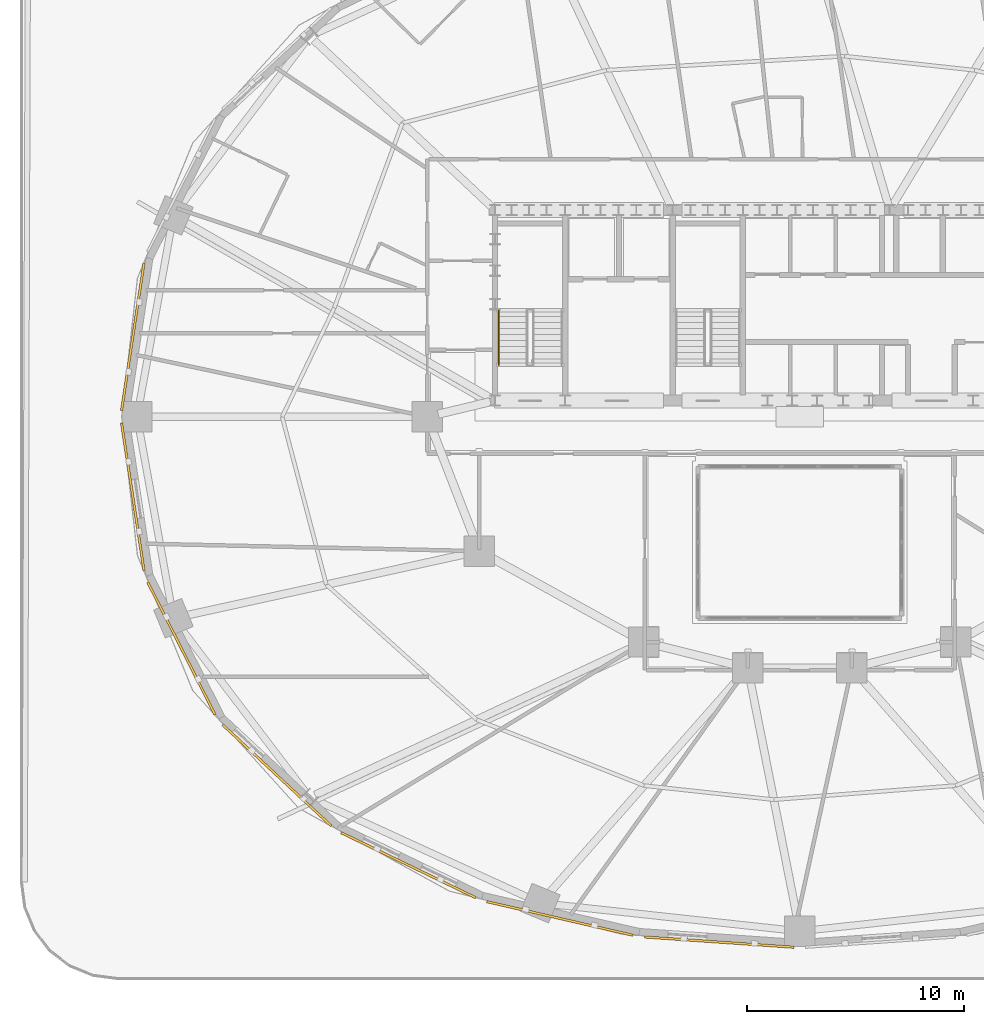
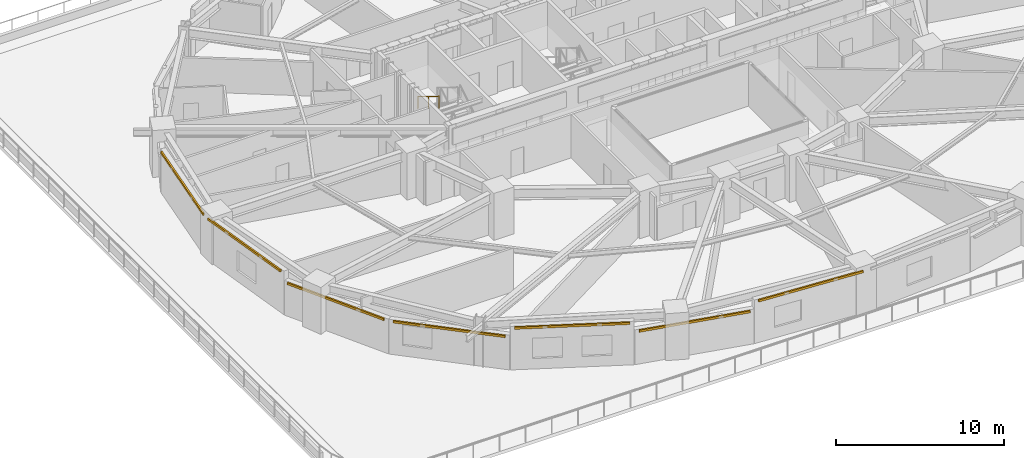
# One storey, part 13 of 18: 7 coverings, 1 railing.
"""IFC4 building model written with IfcOpenShell, lengths in metres."""

from ifc_helpers import new_model, si_unit, direction, frame, origin, origin_2d, place, context, subcontext, project, spatial, polyline, rectangle, outline, extrude, material, layer, layer_set, type_object, element, save


model = new_model("IFC4")

# Units and contexts
model_context = context("Model", 3, precision=1e-05, world=origin(), true_north=direction((0.0, 1.0)))
body_context = subcontext(model_context, "Body", "Model", "MODEL_VIEW")
ifc_project = project(units=[si_unit("LENGTHUNIT", "METRE"), si_unit("AREAUNIT", "SQUARE_METRE"), si_unit("VOLUMEUNIT", "CUBIC_METRE"), si_unit("PLANEANGLEUNIT", "RADIAN"), si_unit("MASSUNIT", "GRAM", prefix="KILO")], contexts=[model_context])

# Site, building, storey
site_placement = place(None, origin())
site = spatial("IfcSite", under=ifc_project, at=site_placement, CompositionType="ELEMENT")
building_placement = place(site_placement, origin())
building = spatial("IfcBuilding", under=site, at=building_placement, Name="Haldorwick Loom Tower", CompositionType="ELEMENT")
storey_placement = place(building_placement, frame((0.0, 0.0, 24.0)))
storey = spatial("IfcBuildingStorey", under=building, at=storey_placement, Name="L05", CompositionType="ELEMENT", Elevation=24.0)

# Coverings
ifc_material_1 = material(Name="Corbelled Pressed Clay Face Brick Veneer", Category="masonry")
ifc_layer = layer(ifc_material_1, 0.110107421875, Name="Corbelled Pressed Clay Face Brick Veneer", Category="masonry")
ifc_layer_set = layer_set([ifc_layer], Name="Corbelled Pressed Clay Face Brick Veneer")
covering_type = type_object("IfcCoveringType", Name="ARC-COV-BRICK110", PredefinedType="CLADDING", material=ifc_layer_set)
covering_1_placement = place(storey_placement, frame((0.0, 0.0, 3.050048828125)))
element("IfcCovering", 1, at=covering_1_placement, inside=storey, type_object=covering_type, Name="L05 Head Face-Brick Lintel Band 12", PredefinedType="CLADDING", context=body_context, shape_type="SweptSolid", body=[
    extrude(outline(polyline([(5.673583984375, 33.114013671875), (4.634765625, 26.287841796875), (4.743408203125, 26.271240234375), (5.782470703125, 33.097412109375), (5.673583984375, 33.114013671875)])), origin(), (0.0, 0.0, 1.0), 0.159912109375),
])
covering_2_placement = place(storey_placement, frame((0.0, 0.0, 3.050048828125)))
element("IfcCovering", 2, at=covering_2_placement, inside=storey, type_object=covering_type, Name="L05 Head Face-Brick Lintel Band 13", PredefinedType="CLADDING", context=body_context, shape_type="SweptSolid", body=[
    extrude(outline(polyline([(4.634765625, 25.712158203125), (5.673583984375, 18.885986328125), (5.782470703125, 18.902587890625), (4.743408203125, 25.728759765625), (4.634765625, 25.712158203125)])), origin(), (0.0, 0.0, 1.0), 0.159912109375),
])
covering_3_placement = place(storey_placement, frame((0.0, 0.0, 2.408935546875)))
element("IfcCovering", 3, at=covering_3_placement, inside=storey, type_object=covering_type, Name="L05 Head Face-Brick Lintel Band 14", PredefinedType="CLADDING", context=body_context, shape_type="SweptSolid", body=[
    extrude(outline(polyline([(5.8505859375, 18.334228515625), (8.957275390625, 12.2197265625), (9.055419921875, 12.26953125), (5.94873046875, 18.384033203125), (5.8505859375, 18.334228515625)])), origin(), (0.0, 0.0, 1.0), 0.16015625),
])
covering_4_placement = place(storey_placement, frame((0.0, 0.0, 2.408935546875)))
element("IfcCovering", 4, at=covering_4_placement, inside=storey, type_object=covering_type, Name="L05 Head Face-Brick Lintel Band 15", PredefinedType="CLADDING", context=body_context, shape_type="SweptSolid", body=[
    extrude(outline(polyline([(9.31005859375, 11.751220703125), (14.32861328125, 7.07666015625), (14.40380859375, 7.1572265625), (9.385009765625, 11.83154296875), (9.31005859375, 11.751220703125)])), origin(), (0.0, 0.0, 1.0), 0.16015625),
])
covering_5_placement = place(storey_placement, frame((0.0, 0.0, 3.050048828125)))
element("IfcCovering", 5, at=covering_5_placement, inside=storey, type_object=covering_type, Name="L05 Head Face-Brick Lintel Band 16", PredefinedType="CLADDING", context=body_context, shape_type="SweptSolid", body=[
    extrude(outline(polyline([(14.80322265625, 6.751953125), (21.0126953125, 3.75), (21.060546875, 3.84912109375), (14.85107421875, 6.85107421875), (14.80322265625, 6.751953125)])), origin(), (0.0, 0.0, 1.0), 0.159912109375),
])
covering_6_placement = place(storey_placement, frame((0.0, 0.0, 2.408935546875)))
element("IfcCovering", 6, at=covering_6_placement, inside=storey, type_object=covering_type, Name="L05 Head Face-Brick Lintel Band 17", PredefinedType="CLADDING", context=body_context, shape_type="SweptSolid", body=[
    extrude(outline(polyline([(21.538330078125, 3.565185546875), (28.284423828125, 2.012451171875), (28.30908203125, 2.11962890625), (21.56298828125, 3.67236328125), (21.538330078125, 3.565185546875)])), origin(), (0.0, 0.0, 1.0), 0.16015625),
])
covering_7_placement = place(storey_placement, frame((0.0, 0.0, 3.050048828125)))
element("IfcCovering", 7, at=covering_7_placement, inside=storey, type_object=covering_type, Name="L05 Head Face-Brick Lintel Band 18", PredefinedType="CLADDING", context=body_context, shape_type="SweptSolid", body=[
    extrude(outline(polyline([(28.819580078125, 1.93310546875), (35.732177734375, 1.457763671875), (35.739501953125, 1.5673828125), (28.8271484375, 2.042724609375), (28.819580078125, 1.93310546875)])), origin(), (0.0, 0.0, 1.0), 0.159912109375),
])

# Railing
ifc_material_2 = material(Name="Steel CSA G40.21 350W", Category="steel")
railing_type = type_object("IfcRailingType", Name="ARC-RLG-HAND092", PredefinedType="HANDRAIL", material=ifc_material_2)
railing_placement = place(storey_placement, frame((22.10009765625, 30.919921875, 1.8974609375)))
element("IfcRailing", 8, at=railing_placement, inside=storey, type_object=railing_type, Name="L05 ST-01 stair handrail 2", PredefinedType="HANDRAIL", context=body_context, shape_type="SweptSolid", body=[
    extrude(rectangle(XDim=0.048095703125, YDim=0.048095703125, at=origin_2d()), frame((0.0, 0.0, 0.8759765625), z_axis=(0.0, -0.851400495292, 0.524516154772), x_axis=(1.0, 0.0, 0.0)), (0.0, 0.0, 1.0), 2.9599609375),
    extrude(rectangle(XDim=0.0419921875, YDim=0.0419921875, at=origin_2d()), origin(), (0.0, 0.0, 1.0), 0.851806640625),
    extrude(rectangle(XDim=0.0419921875, YDim=0.0419921875, at=origin_2d()), frame((0.0, -1.260009765625, 0.7763671875)), (0.0, 0.0, 1.0), 0.851806640625),
    extrude(rectangle(XDim=0.0419921875, YDim=0.0419921875, at=origin_2d()), frame((0.0, -2.52001953125, 1.552490234375)), (0.0, 0.0, 1.0), 0.851806640625),
])

save(model, "model.ifc")
